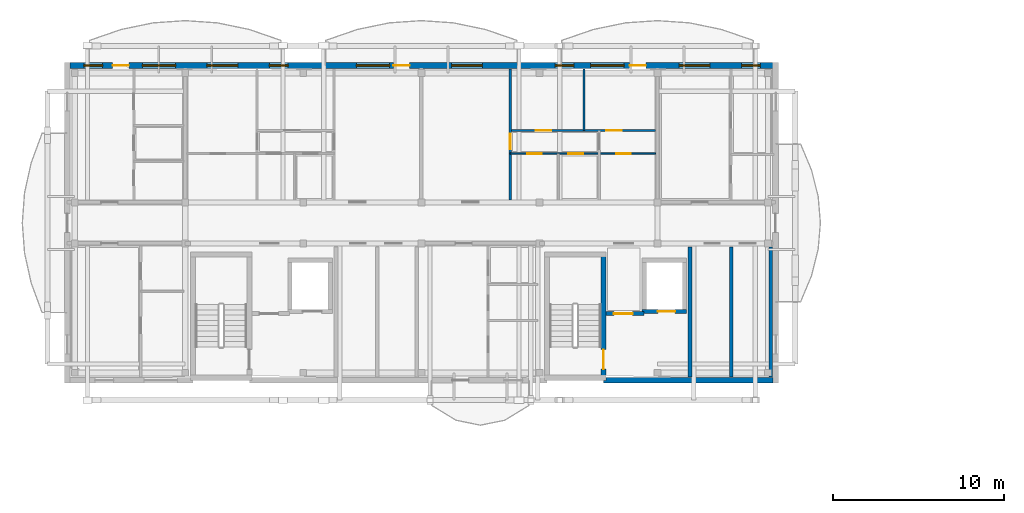
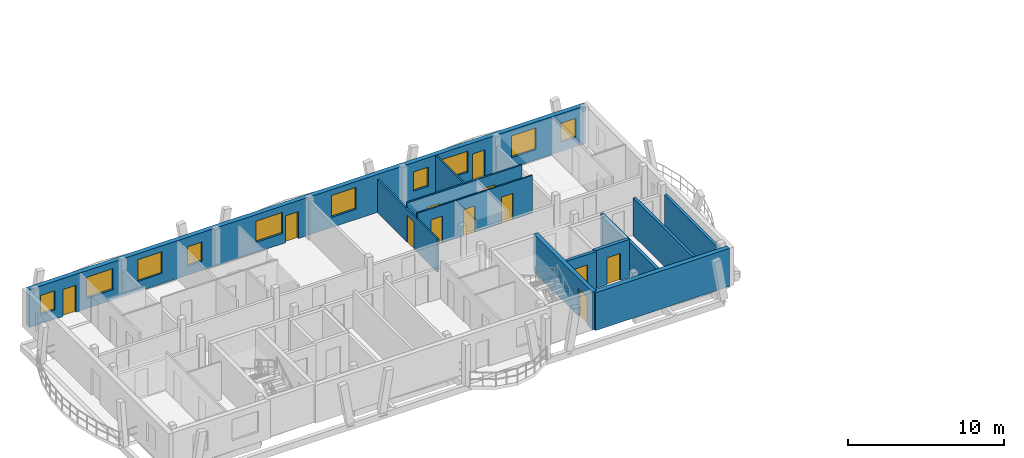
# One storey, part 21 of 41: 12 doors, 12 walls, 10 windows, 22 openings.
"""IFC4 building model written with IfcOpenShell, lengths in metres."""

from ifc_helpers import new_model, si_unit, direction, frame, frame_2d, origin, origin_with_axes, place, context, subcontext, project, spatial, rectangle, extrude, material, layer, layer_set, type_object, element, fill, save


model = new_model("IFC4")

# Units and contexts
model_context = context("Model", 3, precision=1e-05, world=origin(), true_north=direction((0.0, 1.0)))
body_context = subcontext(model_context, "Body", "Model", "MODEL_VIEW")
ifc_project = project(units=[si_unit("LENGTHUNIT", "METRE"), si_unit("AREAUNIT", "SQUARE_METRE"), si_unit("VOLUMEUNIT", "CUBIC_METRE"), si_unit("PLANEANGLEUNIT", "RADIAN"), si_unit("MASSUNIT", "GRAM", prefix="KILO")], contexts=[model_context])

# Site, building, storey
site_placement = place(None, origin())
site = spatial("IfcSite", under=ifc_project, at=site_placement, CompositionType="ELEMENT")
building_placement = place(site_placement, origin())
building = spatial("IfcBuilding", under=site, at=building_placement, Name="Zavelmont Quarter", CompositionType="ELEMENT")
storey_placement = place(building_placement, frame((0.0, 0.0, 27.199951171875)))
storey = spatial("IfcBuildingStorey", under=building, at=storey_placement, Name="L08", CompositionType="ELEMENT", Elevation=27.199951171875)

# Wall
ifc_material_1 = material(Name="Natural Belgian limestone", Category="masonry")
ifc_layer_1 = layer(ifc_material_1, 0.340087890625)
ifc_layer_set_1 = layer_set([ifc_layer_1], Name="Natural Belgian limestone")
wall_type_1 = type_object("IfcWallType", Name="EW03", PredefinedType="STANDARD", material=ifc_layer_set_1)
wall_1_placement = place(storey_placement, frame((31.35009765625, 97.60009765625, 0.0), z_axis=(0.0, 0.0, 1.0), x_axis=(1.0, 0.0, 0.0)))
element("IfcWall", 1, at=wall_1_placement, inside=storey, type_object=wall_type_1, Name="L08 exterior limestone wall EW03", PredefinedType="STANDARD", context=body_context, shape_type="SweptSolid", body=[
    extrude(rectangle(XDim=9.889892578125, YDim=0.340087890625, at=frame_2d((4.94482421875, 0.0))), origin(), (0.0, 0.0, 1.0), 2.9599609375),
])

# Wall, openings, doors, windows
wall_2_placement = place(storey_placement, frame((0.159912109375, 116.0, 0.0), z_axis=(0.0, 0.0, 1.0), x_axis=(1.0, 0.0, 0.0)))
wall_2 = element("IfcWall", 2, at=wall_2_placement, inside=storey, type_object=wall_type_1, Name="L08 exterior limestone wall EW03", PredefinedType="STANDARD", context=body_context, shape_type="SweptSolid", body=[
    extrude(rectangle(XDim=41.080078125, YDim=0.340087890625, at=frame_2d((20.5400390625, 0.0))), origin(), (0.0, 0.0, 1.0), 2.9599609375),
])
opening_1_placement = place(wall_2_placement, frame((2.500244140625, 0.0, 0.0)))
opening_1 = element("IfcOpeningElement", 3, at=opening_1_placement, cuts=wall_2, Name="Opening DR04", PredefinedType="OPENING", context=body_context, shape_type="SweptSolid", body=[
    extrude(rectangle(XDim=0.949951171875, YDim=2.10009765625, at=frame_2d((0.47509765625, 1.050048828125))), frame((0.0, 0.18212890625, 0.0), z_axis=(0.0, -1.0, 0.0), x_axis=(1.0, 0.0, 0.0)), (0.0, 0.0, 1.0), 0.364013671875),
])
opening_2_placement = place(wall_2_placement, frame((18.909912109375, 0.0, 0.0)))
opening_2 = element("IfcOpeningElement", 4, at=opening_2_placement, cuts=wall_2, Name="Opening DR04", PredefinedType="OPENING", context=body_context, shape_type="SweptSolid", body=[
    extrude(rectangle(XDim=0.949951171875, YDim=2.10009765625, at=frame_2d((0.47509765625, 1.050048828125))), frame((0.0, 0.18212890625, 0.0), z_axis=(0.0, -1.0, 0.0), x_axis=(1.0, 0.0, 0.0)), (0.0, 0.0, 1.0), 0.364013671875),
])
opening_3_placement = place(wall_2_placement, frame((32.7099609375, 0.0, 0.0)))
opening_3 = element("IfcOpeningElement", 5, at=opening_3_placement, cuts=wall_2, Name="Opening DR04", PredefinedType="OPENING", context=body_context, shape_type="SweptSolid", body=[
    extrude(rectangle(XDim=0.949951171875, YDim=2.10009765625, at=frame_2d((0.47509765625, 1.050048828125))), frame((0.0, 0.18212890625, 0.0), z_axis=(0.0, -1.0, 0.0), x_axis=(1.0, 0.0, 0.0)), (0.0, 0.0, 1.0), 0.364013671875),
])
opening_4_placement = place(wall_2_placement, frame((0.81005859375, 0.0, 0.719970703125)))
opening_4 = element("IfcOpeningElement", 6, at=opening_4_placement, cuts=wall_2, Name="Opening WN09", PredefinedType="OPENING", context=body_context, shape_type="SweptSolid", body=[
    extrude(rectangle(XDim=1.10009765625, YDim=1.5, at=frame_2d((0.550048828125, 0.75))), frame((0.0, 0.18212890625, 0.0), z_axis=(0.0, -1.0, 0.0), x_axis=(1.0, 0.0, 0.0)), (0.0, 0.0, 1.0), 0.364013671875),
])
opening_5_placement = place(wall_2_placement, frame((4.235107421875, 0.0, 0.800048828125)))
opening_5 = element("IfcOpeningElement", 7, at=opening_5_placement, cuts=wall_2, Name="Opening WN24", PredefinedType="OPENING", context=body_context, shape_type="SweptSolid", body=[
    extrude(rectangle(XDim=1.949951171875, YDim=1.64990234375, at=frame_2d((0.97509765625, 0.824951171875))), frame((0.0, 0.18212890625, 0.0), z_axis=(0.0, -1.0, 0.0), x_axis=(1.0, 0.0, 0.0)), (0.0, 0.0, 1.0), 0.364013671875),
])
opening_6_placement = place(wall_2_placement, frame((8.010009765625, 0.0, 0.800048828125)))
opening_6 = element("IfcOpeningElement", 8, at=opening_6_placement, cuts=wall_2, Name="Opening WN02", PredefinedType="OPENING", context=body_context, shape_type="SweptSolid", body=[
    extrude(rectangle(XDim=1.800048828125, YDim=1.699951171875, at=frame_2d((0.89990234375, 0.85009765625))), frame((0.0, 0.18212890625, 0.0), z_axis=(0.0, -1.0, 0.0), x_axis=(1.0, 0.0, 0.0)), (0.0, 0.0, 1.0), 0.364013671875),
])
opening_7_placement = place(wall_2_placement, frame((11.659912109375, 0.0, 0.719970703125)))
opening_7 = element("IfcOpeningElement", 9, at=opening_7_placement, cuts=wall_2, Name="Opening WN09", PredefinedType="OPENING", context=body_context, shape_type="SweptSolid", body=[
    extrude(rectangle(XDim=1.10009765625, YDim=1.5, at=frame_2d((0.550048828125, 0.75))), frame((0.0, 0.18212890625, 0.0), z_axis=(0.0, -1.0, 0.0), x_axis=(1.0, 0.0, 0.0)), (0.0, 0.0, 1.0), 0.364013671875),
])
opening_8_placement = place(wall_2_placement, frame((16.735107421875, 0.0, 0.800048828125)))
opening_8 = element("IfcOpeningElement", 10, at=opening_8_placement, cuts=wall_2, Name="Opening WN24", PredefinedType="OPENING", context=body_context, shape_type="SweptSolid", body=[
    extrude(rectangle(XDim=1.949951171875, YDim=1.64990234375, at=frame_2d((0.97509765625, 0.824951171875))), frame((0.0, 0.18212890625, 0.0), z_axis=(0.0, -1.0, 0.0), x_axis=(1.0, 0.0, 0.0)), (0.0, 0.0, 1.0), 0.364013671875),
])
opening_9_placement = place(wall_2_placement, frame((22.31005859375, 0.0, 0.800048828125)))
opening_9 = element("IfcOpeningElement", 11, at=opening_9_placement, cuts=wall_2, Name="Opening WN02", PredefinedType="OPENING", context=body_context, shape_type="SweptSolid", body=[
    extrude(rectangle(XDim=1.800048828125, YDim=1.699951171875, at=frame_2d((0.89990234375, 0.85009765625))), frame((0.0, 0.18212890625, 0.0), z_axis=(0.0, -1.0, 0.0), x_axis=(1.0, 0.0, 0.0)), (0.0, 0.0, 1.0), 0.364013671875),
])
opening_10_placement = place(wall_2_placement, frame((28.360107421875, 0.0, 0.719970703125)))
opening_10 = element("IfcOpeningElement", 12, at=opening_10_placement, cuts=wall_2, Name="Opening WN09", PredefinedType="OPENING", context=body_context, shape_type="SweptSolid", body=[
    extrude(rectangle(XDim=1.10009765625, YDim=1.5, at=frame_2d((0.550048828125, 0.75))), frame((0.0, 0.18212890625, 0.0), z_axis=(0.0, -1.0, 0.0), x_axis=(1.0, 0.0, 0.0)), (0.0, 0.0, 1.0), 0.364013671875),
])
opening_11_placement = place(wall_2_placement, frame((30.43505859375, 0.0, 0.800048828125)))
opening_11 = element("IfcOpeningElement", 13, at=opening_11_placement, cuts=wall_2, Name="Opening WN24", PredefinedType="OPENING", context=body_context, shape_type="SweptSolid", body=[
    extrude(rectangle(XDim=1.949951171875, YDim=1.64990234375, at=frame_2d((0.97509765625, 0.824951171875))), frame((0.0, 0.18212890625, 0.0), z_axis=(0.0, -1.0, 0.0), x_axis=(1.0, 0.0, 0.0)), (0.0, 0.0, 1.0), 0.364013671875),
])
opening_12_placement = place(wall_2_placement, frame((35.610107421875, 0.0, 0.800048828125)))
opening_12 = element("IfcOpeningElement", 14, at=opening_12_placement, cuts=wall_2, Name="Opening WN02", PredefinedType="OPENING", context=body_context, shape_type="SweptSolid", body=[
    extrude(rectangle(XDim=1.800048828125, YDim=1.699951171875, at=frame_2d((0.89990234375, 0.85009765625))), frame((0.0, 0.18212890625, 0.0), z_axis=(0.0, -1.0, 0.0), x_axis=(1.0, 0.0, 0.0)), (0.0, 0.0, 1.0), 0.364013671875),
])
opening_13_placement = place(wall_2_placement, frame((39.260009765625, 0.0, 0.719970703125)))
opening_13 = element("IfcOpeningElement", 15, at=opening_13_placement, cuts=wall_2, Name="Opening WN09", PredefinedType="OPENING", context=body_context, shape_type="SweptSolid", body=[
    extrude(rectangle(XDim=1.10009765625, YDim=1.5, at=frame_2d((0.550048828125, 0.75))), frame((0.0, 0.18212890625, 0.0), z_axis=(0.0, -1.0, 0.0), x_axis=(1.0, 0.0, 0.0)), (0.0, 0.0, 1.0), 0.364013671875),
])
ifc_material_2 = material(Name="Thermally broken aluminium and double safety glass", Category="aluminium")
door_type_1 = type_object("IfcDoorType", Name="DR04", OperationType="NOTDEFINED", PredefinedType="DOOR", material=ifc_material_2)
door_1_placement = place(opening_1_placement, frame((0.949951171875, 0.0, 0.0), z_axis=(0.0, 0.0, 1.0), x_axis=(-1.0, 0.0, 0.0)))
door_1 = element("IfcDoor", 16, at=door_1_placement, inside=storey, type_object=door_type_1, Name="Block B L08 glazed balcony door", OperationType="SINGLE_SWING_LEFT", OverallHeight=2.10009765625, OverallWidth=0.949951171875, PredefinedType="DOOR", context=body_context, shape_type="SweptSolid", body=[
    extrude(rectangle(XDim=0.949951171875, YDim=2.10009765625, at=frame_2d((0.47509765625, 1.050048828125))), frame((0.0, 0.02490234375, 0.0), z_axis=(0.0, -1.0, 0.0), x_axis=(1.0, 0.0, 0.0)), (0.0, 0.0, 1.0), 0.050048828125),
])
fill(opening_1, door_1)
door_2_placement = place(opening_2_placement, frame((0.949951171875, 0.0, 0.0), z_axis=(0.0, 0.0, 1.0), x_axis=(-1.0, 0.0, 0.0)))
door_2 = element("IfcDoor", 17, at=door_2_placement, inside=storey, type_object=door_type_1, Name="Block B L08 glazed balcony door", OperationType="SINGLE_SWING_LEFT", OverallHeight=2.10009765625, OverallWidth=0.949951171875, PredefinedType="DOOR", context=body_context, shape_type="SweptSolid", body=[
    extrude(rectangle(XDim=0.949951171875, YDim=2.10009765625, at=frame_2d((0.47509765625, 1.050048828125))), frame((0.0, 0.02490234375, 0.0), z_axis=(0.0, -1.0, 0.0), x_axis=(1.0, 0.0, 0.0)), (0.0, 0.0, 1.0), 0.050048828125),
])
fill(opening_2, door_2)
door_3_placement = place(opening_3_placement, frame((0.949951171875, 0.0, 0.0), z_axis=(0.0, 0.0, 1.0), x_axis=(-1.0, 0.0, 0.0)))
door_3 = element("IfcDoor", 18, at=door_3_placement, inside=storey, type_object=door_type_1, Name="Block B L08 glazed balcony door", OperationType="SINGLE_SWING_LEFT", OverallHeight=2.10009765625, OverallWidth=0.949951171875, PredefinedType="DOOR", context=body_context, shape_type="SweptSolid", body=[
    extrude(rectangle(XDim=0.949951171875, YDim=2.10009765625, at=frame_2d((0.47509765625, 1.050048828125))), frame((0.0, 0.02490234375, 0.0), z_axis=(0.0, -1.0, 0.0), x_axis=(1.0, 0.0, 0.0)), (0.0, 0.0, 1.0), 0.050048828125),
])
fill(opening_3, door_3)
ifc_material_3 = material(Name="Double low-E insulated glazing in thermally broken aluminium frame", Category="aluminium")
window_type_1 = type_object("IfcWindowType", Name="WN02", PartitioningType="SINGLE_PANEL", PredefinedType="WINDOW", material=ifc_material_3)
window_1_placement = place(opening_6_placement, origin_with_axes())
window_1 = element("IfcWindow", 19, at=window_1_placement, inside=storey, type_object=window_type_1, Name="L08 window WN02", OverallHeight=1.699951171875, OverallWidth=1.800048828125, PartitioningType="SINGLE_PANEL", PredefinedType="WINDOW", context=body_context, shape_type="SweptSolid", body=[
    extrude(rectangle(XDim=1.800048828125, YDim=1.699951171875, at=frame_2d((0.89990234375, 0.85009765625))), frame((0.0, 0.030029296875, 0.0), z_axis=(0.0, -1.0, 0.0), x_axis=(1.0, 0.0, 0.0)), (0.0, 0.0, 1.0), 0.06005859375),
])
fill(opening_6, window_1)
window_2_placement = place(opening_9_placement, origin_with_axes())
window_2 = element("IfcWindow", 20, at=window_2_placement, inside=storey, type_object=window_type_1, Name="L08 window WN02", OverallHeight=1.699951171875, OverallWidth=1.800048828125, PartitioningType="SINGLE_PANEL", PredefinedType="WINDOW", context=body_context, shape_type="SweptSolid", body=[
    extrude(rectangle(XDim=1.800048828125, YDim=1.699951171875, at=frame_2d((0.89990234375, 0.85009765625))), frame((0.0, 0.030029296875, 0.0), z_axis=(0.0, -1.0, 0.0), x_axis=(1.0, 0.0, 0.0)), (0.0, 0.0, 1.0), 0.06005859375),
])
fill(opening_9, window_2)
window_3_placement = place(opening_12_placement, origin_with_axes())
window_3 = element("IfcWindow", 21, at=window_3_placement, inside=storey, type_object=window_type_1, Name="L08 window WN02", OverallHeight=1.699951171875, OverallWidth=1.800048828125, PartitioningType="SINGLE_PANEL", PredefinedType="WINDOW", context=body_context, shape_type="SweptSolid", body=[
    extrude(rectangle(XDim=1.800048828125, YDim=1.699951171875, at=frame_2d((0.89990234375, 0.85009765625))), frame((0.0, 0.030029296875, 0.0), z_axis=(0.0, -1.0, 0.0), x_axis=(1.0, 0.0, 0.0)), (0.0, 0.0, 1.0), 0.06005859375),
])
fill(opening_12, window_3)
window_type_2 = type_object("IfcWindowType", Name="WN09", PartitioningType="SINGLE_PANEL", PredefinedType="WINDOW", material=ifc_material_3)
window_4_placement = place(opening_4_placement, origin_with_axes())
window_4 = element("IfcWindow", 22, at=window_4_placement, inside=storey, type_object=window_type_2, Name="L08 window WN09", OverallHeight=1.5, OverallWidth=1.10009765625, PartitioningType="SINGLE_PANEL", PredefinedType="WINDOW", context=body_context, shape_type="SweptSolid", body=[
    extrude(rectangle(XDim=1.10009765625, YDim=1.5, at=frame_2d((0.550048828125, 0.75))), frame((0.0, 0.030029296875, 0.0), z_axis=(0.0, -1.0, 0.0), x_axis=(1.0, 0.0, 0.0)), (0.0, 0.0, 1.0), 0.06005859375),
])
fill(opening_4, window_4)
window_5_placement = place(opening_7_placement, origin_with_axes())
window_5 = element("IfcWindow", 23, at=window_5_placement, inside=storey, type_object=window_type_2, Name="L08 window WN09", OverallHeight=1.5, OverallWidth=1.10009765625, PartitioningType="SINGLE_PANEL", PredefinedType="WINDOW", context=body_context, shape_type="SweptSolid", body=[
    extrude(rectangle(XDim=1.10009765625, YDim=1.5, at=frame_2d((0.550048828125, 0.75))), frame((0.0, 0.030029296875, 0.0), z_axis=(0.0, -1.0, 0.0), x_axis=(1.0, 0.0, 0.0)), (0.0, 0.0, 1.0), 0.06005859375),
])
fill(opening_7, window_5)
window_6_placement = place(opening_10_placement, origin_with_axes())
window_6 = element("IfcWindow", 24, at=window_6_placement, inside=storey, type_object=window_type_2, Name="L08 window WN09", OverallHeight=1.5, OverallWidth=1.10009765625, PartitioningType="SINGLE_PANEL", PredefinedType="WINDOW", context=body_context, shape_type="SweptSolid", body=[
    extrude(rectangle(XDim=1.10009765625, YDim=1.5, at=frame_2d((0.550048828125, 0.75))), frame((0.0, 0.030029296875, 0.0), z_axis=(0.0, -1.0, 0.0), x_axis=(1.0, 0.0, 0.0)), (0.0, 0.0, 1.0), 0.06005859375),
])
fill(opening_10, window_6)
window_7_placement = place(opening_13_placement, origin_with_axes())
window_7 = element("IfcWindow", 25, at=window_7_placement, inside=storey, type_object=window_type_2, Name="L08 window WN09", OverallHeight=1.5, OverallWidth=1.10009765625, PartitioningType="SINGLE_PANEL", PredefinedType="WINDOW", context=body_context, shape_type="SweptSolid", body=[
    extrude(rectangle(XDim=1.10009765625, YDim=1.5, at=frame_2d((0.550048828125, 0.75))), frame((0.0, 0.030029296875, 0.0), z_axis=(0.0, -1.0, 0.0), x_axis=(1.0, 0.0, 0.0)), (0.0, 0.0, 1.0), 0.06005859375),
])
fill(opening_13, window_7)
window_type_3 = type_object("IfcWindowType", Name="WN24", PartitioningType="SINGLE_PANEL", PredefinedType="WINDOW", material=ifc_material_3)
window_8_placement = place(opening_5_placement, origin_with_axes())
window_8 = element("IfcWindow", 26, at=window_8_placement, inside=storey, type_object=window_type_3, Name="L08 window WN24", OverallHeight=1.64990234375, OverallWidth=1.949951171875, PartitioningType="SINGLE_PANEL", PredefinedType="WINDOW", context=body_context, shape_type="SweptSolid", body=[
    extrude(rectangle(XDim=1.949951171875, YDim=1.64990234375, at=frame_2d((0.97509765625, 0.824951171875))), frame((0.0, 0.030029296875, 0.0), z_axis=(0.0, -1.0, 0.0), x_axis=(1.0, 0.0, 0.0)), (0.0, 0.0, 1.0), 0.06005859375),
])
fill(opening_5, window_8)
window_9_placement = place(opening_8_placement, origin_with_axes())
window_9 = element("IfcWindow", 27, at=window_9_placement, inside=storey, type_object=window_type_3, Name="L08 window WN24", OverallHeight=1.64990234375, OverallWidth=1.949951171875, PartitioningType="SINGLE_PANEL", PredefinedType="WINDOW", context=body_context, shape_type="SweptSolid", body=[
    extrude(rectangle(XDim=1.949951171875, YDim=1.64990234375, at=frame_2d((0.97509765625, 0.824951171875))), frame((0.0, 0.030029296875, 0.0), z_axis=(0.0, -1.0, 0.0), x_axis=(1.0, 0.0, 0.0)), (0.0, 0.0, 1.0), 0.06005859375),
])
fill(opening_8, window_9)
window_10_placement = place(opening_11_placement, origin_with_axes())
window_10 = element("IfcWindow", 28, at=window_10_placement, inside=storey, type_object=window_type_3, Name="L08 window WN24", OverallHeight=1.64990234375, OverallWidth=1.949951171875, PartitioningType="SINGLE_PANEL", PredefinedType="WINDOW", context=body_context, shape_type="SweptSolid", body=[
    extrude(rectangle(XDim=1.949951171875, YDim=1.64990234375, at=frame_2d((0.97509765625, 0.824951171875))), frame((0.0, 0.030029296875, 0.0), z_axis=(0.0, -1.0, 0.0), x_axis=(1.0, 0.0, 0.0)), (0.0, 0.0, 1.0), 0.06005859375),
])
fill(opening_11, window_10)

# Walls
ifc_material_4 = material(Name="Calcium-silicate blockwork and acoustic plaster", Category="masonry")
ifc_layer_2 = layer(ifc_material_4, 0.199951171875)
ifc_layer_set_2 = layer_set([ifc_layer_2], Name="Calcium-silicate blockwork and acoustic plaster")
wall_type_2 = type_object("IfcWallType", Name="IW01", PredefinedType="PARTITIONING", material=ifc_layer_set_2)
wall_3_placement = place(storey_placement, frame((38.824951171875, 97.800048828125, 0.0), z_axis=(0.0, 0.0, 1.0), x_axis=(0.0, 1.0, 0.0)))
element("IfcWall", 29, at=wall_3_placement, inside=storey, type_object=wall_type_2, Name="L08 Service riser divider wall IW01", PredefinedType="PARTITIONING", context=body_context, shape_type="SweptSolid", body=[
    extrude(rectangle(XDim=7.599853515625, YDim=0.199951171875, at=frame_2d((3.7998046875, 0.0))), origin(), (0.0, 0.0, 1.0), 2.9599609375),
])
wall_4_placement = place(storey_placement, frame((41.1201171875, 97.800048828125, 0.0), z_axis=(0.0, 0.0, 1.0), x_axis=(0.0, 1.0, 0.0)))
element("IfcWall", 30, at=wall_4_placement, inside=storey, type_object=wall_type_2, Name="L08 Core service end wall IW01", PredefinedType="PARTITIONING", context=body_context, shape_type="SweptSolid", body=[
    extrude(rectangle(XDim=7.599853515625, YDim=0.199951171875, at=frame_2d((3.7998046875, 0.0))), origin(), (0.0, 0.0, 1.0), 2.400146484375),
])
ifc_material_5 = material(Name="Reinforced masonry fire compartment wall", Category="masonry")
ifc_layer_3 = layer(ifc_material_5, 0.22509765625)
ifc_layer_set_3 = layer_set([ifc_layer_3], Name="Reinforced masonry fire compartment wall")
wall_type_3 = type_object("IfcWallType", Name="IW02", PredefinedType="PARTITIONING", material=ifc_layer_set_3)
wall_5_placement = place(storey_placement, frame((36.409912109375, 97.800048828125, 0.0), z_axis=(0.0, 0.0, 1.0), x_axis=(0.0, 1.0, 0.0)))
element("IfcWall", 31, at=wall_5_placement, inside=storey, type_object=wall_type_3, Name="L08 Firefighting lobby enclosure wall IW02", PredefinedType="PARTITIONING", context=body_context, shape_type="SweptSolid", body=[
    extrude(rectangle(XDim=7.599853515625, YDim=0.22509765625, at=frame_2d((3.7998046875, 0.0))), origin(), (0.0, 0.0, 1.0), 2.590087890625),
])

# Wall, opening, door
wall_6_placement = place(storey_placement, frame((31.5, 101.5, 0.0), z_axis=(0.0, 0.0, 1.0), x_axis=(1.0, 0.0, 0.0)))
wall_6 = element("IfcWall", 32, at=wall_6_placement, inside=storey, type_object=wall_type_3, Name="L08 Firefighting lobby threshold wall IW02", PredefinedType="PARTITIONING", context=body_context, shape_type="SweptSolid", body=[
    extrude(rectangle(XDim=2.199951171875, YDim=0.22509765625, at=frame_2d((1.10009765625, 0.0))), origin(), (0.0, 0.0, 1.0), 2.9599609375),
])
opening_14_placement = place(wall_6_placement, frame((0.449951171875, 0.0, 0.0)))
opening_14 = element("IfcOpeningElement", 33, at=opening_14_placement, cuts=wall_6, Name="Opening DR10", PredefinedType="OPENING", context=body_context, shape_type="SweptSolid", body=[
    extrude(rectangle(XDim=1.10009765625, YDim=2.14990234375, at=frame_2d((0.550048828125, 1.074951171875))), frame((0.0, 0.12451171875, 0.0), z_axis=(0.0, -1.0, 0.0), x_axis=(1.0, 0.0, 0.0)), (0.0, 0.0, 1.0), 0.2490234375),
])
ifc_material_6 = material(Name="Painted steel lobby fire door", Category="steel")
door_type_2 = type_object("IfcDoorType", Name="DR10", OperationType="NOTDEFINED", PredefinedType="DOOR", material=ifc_material_6)
door_4_placement = place(opening_14_placement, frame((1.10009765625, 0.0, 0.0), z_axis=(0.0, 0.0, 1.0), x_axis=(-1.0, 0.0, 0.0)))
door_4 = element("IfcDoor", 34, at=door_4_placement, inside=storey, type_object=door_type_2, Name="Firefighting lobby fire door", OperationType="SINGLE_SWING_LEFT", OverallHeight=2.14990234375, OverallWidth=1.10009765625, PredefinedType="DOOR", context=body_context, shape_type="SweptSolid", body=[
    extrude(rectangle(XDim=1.10009765625, YDim=2.14990234375, at=frame_2d((0.550048828125, 1.074951171875))), frame((0.0, 0.02490234375, 0.0), z_axis=(0.0, -1.0, 0.0), x_axis=(1.0, 0.0, 0.0)), (0.0, 0.0, 1.0), 0.050048828125),
])
fill(opening_14, door_4)

ifc_material_7 = material(Name="Double gypsum board on acoustic steel stud", Category="steel")
ifc_layer_4 = layer(ifc_material_7, 0.125)
ifc_layer_set_4 = layer_set([ifc_layer_4], Name="Double gypsum board on acoustic steel stud")
wall_type_4 = type_object("IfcWallType", Name="IW03", PredefinedType="PARTITIONING", material=ifc_layer_set_4)
wall_7_placement = place(storey_placement, frame((25.89990234375, 108.14990234375, 0.0), z_axis=(0.0, 0.0, 1.0), x_axis=(0.0, 1.0, 0.0)))
wall_7 = element("IfcWall", 35, at=wall_7_placement, inside=storey, type_object=wall_type_4, Name="L08 Partition IW03", PredefinedType="PARTITIONING", context=body_context, shape_type="SweptSolid", body=[
    extrude(rectangle(XDim=7.650146484375, YDim=0.125, at=frame_2d((3.8251953125, 0.0))), origin(), (0.0, 0.0, 1.0), 2.590087890625),
])
opening_15_placement = place(wall_7_placement, frame((2.949951171875, 0.0, 0.0)))
opening_15 = element("IfcOpeningElement", 36, at=opening_15_placement, cuts=wall_7, Name="Opening DR05", PredefinedType="OPENING", context=body_context, shape_type="SweptSolid", body=[
    extrude(rectangle(XDim=0.89990234375, YDim=2.10009765625, at=frame_2d((0.449951171875, 1.050048828125))), frame((0.0, 0.074462890625, 0.0), z_axis=(0.0, -1.0, 0.0), x_axis=(1.0, 0.0, 0.0)), (0.0, 0.0, 1.0), 0.14892578125),
])
ifc_material_8 = material(Name="Engineered oak flush interior door")
door_type_3 = type_object("IfcDoorType", Name="DR05", OperationType="NOTDEFINED", PredefinedType="DOOR", material=ifc_material_8)
door_5_placement = place(opening_15_placement, origin_with_axes())
door_5 = element("IfcDoor", 37, at=door_5_placement, inside=storey, type_object=door_type_3, Name="L08 door DR05", OperationType="SINGLE_SWING_RIGHT", OverallHeight=2.10009765625, OverallWidth=0.89990234375, PredefinedType="DOOR", context=body_context, shape_type="SweptSolid", body=[
    extrude(rectangle(XDim=0.89990234375, YDim=2.10009765625, at=frame_2d((0.449951171875, 1.050048828125))), frame((0.0, 0.02490234375, 0.0), z_axis=(0.0, -1.0, 0.0), x_axis=(1.0, 0.0, 0.0)), (0.0, 0.0, 1.0), 0.050048828125),
])
fill(opening_15, door_5)

# Wall
wall_8_placement = place(storey_placement, frame((30.199951171875, 112.199951171875, 0.0), z_axis=(0.0, 0.0, 1.0), x_axis=(0.0, 1.0, 0.0)))
element("IfcWall", 38, at=wall_8_placement, inside=storey, type_object=wall_type_4, Name="L08 Partition IW03", PredefinedType="PARTITIONING", context=body_context, shape_type="SweptSolid", body=[
    extrude(rectangle(XDim=3.60009765625, YDim=0.125, at=frame_2d((1.800048828125, 0.0))), origin(), (0.0, 0.0, 1.0), 2.9599609375),
])

# Wall, openings, doors
wall_9_placement = place(storey_placement, frame((25.89990234375, 112.199951171875, 0.0), z_axis=(0.0, 0.0, 1.0), x_axis=(1.0, 0.0, 0.0)))
wall_9 = element("IfcWall", 39, at=wall_9_placement, inside=storey, type_object=wall_type_4, Name="L08 Partition IW03", PredefinedType="PARTITIONING", context=body_context, shape_type="SweptSolid", body=[
    extrude(rectangle(XDim=8.5, YDim=0.125, at=frame_2d((4.25, 0.0))), origin(), (0.0, 0.0, 1.0), 2.9599609375),
])
opening_16_placement = place(wall_9_placement, frame((1.5, 0.0, 0.0)))
opening_16 = element("IfcOpeningElement", 40, at=opening_16_placement, cuts=wall_9, Name="Opening DR05", PredefinedType="OPENING", context=body_context, shape_type="SweptSolid", body=[
    extrude(rectangle(XDim=0.89990234375, YDim=2.10009765625, at=frame_2d((0.449951171875, 1.050048828125))), frame((0.0, 0.074462890625, 0.0), z_axis=(0.0, -1.0, 0.0), x_axis=(1.0, 0.0, 0.0)), (0.0, 0.0, 1.0), 0.14892578125),
])
opening_17_placement = place(wall_9_placement, frame((5.60009765625, 0.0, 0.0)))
opening_17 = element("IfcOpeningElement", 41, at=opening_17_placement, cuts=wall_9, Name="Opening DR05", PredefinedType="OPENING", context=body_context, shape_type="SweptSolid", body=[
    extrude(rectangle(XDim=0.89990234375, YDim=2.10009765625, at=frame_2d((0.449951171875, 1.050048828125))), frame((0.0, 0.074462890625, 0.0), z_axis=(0.0, -1.0, 0.0), x_axis=(1.0, 0.0, 0.0)), (0.0, 0.0, 1.0), 0.14892578125),
])
door_6_placement = place(opening_16_placement, frame((0.89990234375, 0.0, 0.0), z_axis=(0.0, 0.0, 1.0), x_axis=(-1.0, 0.0, 0.0)))
door_6 = element("IfcDoor", 42, at=door_6_placement, inside=storey, type_object=door_type_3, Name="L08 door DR05", OperationType="SINGLE_SWING_LEFT", OverallHeight=2.10009765625, OverallWidth=0.89990234375, PredefinedType="DOOR", context=body_context, shape_type="SweptSolid", body=[
    extrude(rectangle(XDim=0.89990234375, YDim=2.10009765625, at=frame_2d((0.449951171875, 1.050048828125))), frame((0.0, 0.02490234375, 0.0), z_axis=(0.0, -1.0, 0.0), x_axis=(1.0, 0.0, 0.0)), (0.0, 0.0, 1.0), 0.050048828125),
])
fill(opening_16, door_6)
door_7_placement = place(opening_17_placement, origin_with_axes())
door_7 = element("IfcDoor", 43, at=door_7_placement, inside=storey, type_object=door_type_3, Name="L08 door DR05", OperationType="SINGLE_SWING_RIGHT", OverallHeight=2.10009765625, OverallWidth=0.89990234375, PredefinedType="DOOR", context=body_context, shape_type="SweptSolid", body=[
    extrude(rectangle(XDim=0.89990234375, YDim=2.10009765625, at=frame_2d((0.449951171875, 1.050048828125))), frame((0.0, 0.02490234375, 0.0), z_axis=(0.0, -1.0, 0.0), x_axis=(1.0, 0.0, 0.0)), (0.0, 0.0, 1.0), 0.050048828125),
])
fill(opening_17, door_7)

ifc_material_9 = material(Name="Moisture-resistant gypsum board on steel stud", Category="steel")
ifc_layer_5 = layer(ifc_material_9, 0.10009765625)
ifc_layer_set_5 = layer_set([ifc_layer_5], Name="Moisture-resistant gypsum board on steel stud")
wall_type_5 = type_object("IfcWallType", Name="IW04", PredefinedType="PARTITIONING", material=ifc_layer_set_5)
wall_10_placement = place(storey_placement, frame((25.89990234375, 110.85009765625, 0.0), z_axis=(0.0, 0.0, 1.0), x_axis=(1.0, 0.0, 0.0)))
wall_10 = element("IfcWall", 44, at=wall_10_placement, inside=storey, type_object=wall_type_5, Name="L08 Partition IW04", PredefinedType="PARTITIONING", context=body_context, shape_type="SweptSolid", body=[
    extrude(rectangle(XDim=8.5, YDim=0.10009765625, at=frame_2d((4.25, 0.0))), origin(), (0.0, 0.0, 1.0), 2.9599609375),
])
opening_18_placement = place(wall_10_placement, frame((1.0, 0.0, 0.0)))
opening_18 = element("IfcOpeningElement", 45, at=opening_18_placement, cuts=wall_10, Name="Opening DR16", PredefinedType="OPENING", context=body_context, shape_type="SweptSolid", body=[
    extrude(rectangle(XDim=0.85009765625, YDim=2.10009765625, at=frame_2d((0.425048828125, 1.050048828125))), frame((0.0, 0.06201171875, 0.0), z_axis=(0.0, -1.0, 0.0), x_axis=(1.0, 0.0, 0.0)), (0.0, 0.0, 1.0), 0.1240234375),
])
opening_19_placement = place(wall_10_placement, frame((3.39990234375, 0.0, 0.0)))
opening_19 = element("IfcOpeningElement", 46, at=opening_19_placement, cuts=wall_10, Name="Opening DR06", PredefinedType="OPENING", context=body_context, shape_type="SweptSolid", body=[
    extrude(rectangle(XDim=0.85009765625, YDim=2.050048828125, at=frame_2d((0.425048828125, 1.02490234375))), frame((0.0, 0.06201171875, 0.0), z_axis=(0.0, -1.0, 0.0), x_axis=(1.0, 0.0, 0.0)), (0.0, 0.0, 1.0), 0.1240234375),
])
opening_20_placement = place(wall_10_placement, frame((6.199951171875, 0.0, 0.0)))
opening_20 = element("IfcOpeningElement", 47, at=opening_20_placement, cuts=wall_10, Name="Opening DR06", PredefinedType="OPENING", context=body_context, shape_type="SweptSolid", body=[
    extrude(rectangle(XDim=0.85009765625, YDim=2.050048828125, at=frame_2d((0.425048828125, 1.02490234375))), frame((0.0, 0.06201171875, 0.0), z_axis=(0.0, -1.0, 0.0), x_axis=(1.0, 0.0, 0.0)), (0.0, 0.0, 1.0), 0.1240234375),
])
ifc_material_10 = material(Name="Moisture-resistant painted wet-room door")
door_type_4 = type_object("IfcDoorType", Name="DR06", OperationType="NOTDEFINED", PredefinedType="DOOR", material=ifc_material_10)
door_8_placement = place(opening_19_placement, frame((0.85009765625, 0.0, 0.0), z_axis=(0.0, 0.0, 1.0), x_axis=(-1.0, 0.0, 0.0)))
door_8 = element("IfcDoor", 48, at=door_8_placement, inside=storey, type_object=door_type_4, Name="L08 door DR06", OperationType="SINGLE_SWING_LEFT", OverallHeight=2.050048828125, OverallWidth=0.85009765625, PredefinedType="DOOR", context=body_context, shape_type="SweptSolid", body=[
    extrude(rectangle(XDim=0.85009765625, YDim=2.050048828125, at=frame_2d((0.425048828125, 1.02490234375))), frame((0.0, 0.02490234375, 0.0), z_axis=(0.0, -1.0, 0.0), x_axis=(1.0, 0.0, 0.0)), (0.0, 0.0, 1.0), 0.050048828125),
])
fill(opening_19, door_8)
door_9_placement = place(opening_20_placement, origin_with_axes())
door_9 = element("IfcDoor", 49, at=door_9_placement, inside=storey, type_object=door_type_4, Name="L08 door DR06", OperationType="SINGLE_SWING_RIGHT", OverallHeight=2.050048828125, OverallWidth=0.85009765625, PredefinedType="DOOR", context=body_context, shape_type="SweptSolid", body=[
    extrude(rectangle(XDim=0.85009765625, YDim=2.050048828125, at=frame_2d((0.425048828125, 1.02490234375))), frame((0.0, 0.02490234375, 0.0), z_axis=(0.0, -1.0, 0.0), x_axis=(1.0, 0.0, 0.0)), (0.0, 0.0, 1.0), 0.050048828125),
])
fill(opening_20, door_9)
door_type_5 = type_object("IfcDoorType", Name="DR16", OperationType="NOTDEFINED", PredefinedType="DOOR", material=ifc_material_8)
door_10_placement = place(opening_18_placement, origin_with_axes())
door_10 = element("IfcDoor", 50, at=door_10_placement, inside=storey, type_object=door_type_5, Name="L08 door DR16", OperationType="SINGLE_SWING_RIGHT", OverallHeight=2.10009765625, OverallWidth=0.85009765625, PredefinedType="DOOR", context=body_context, shape_type="SweptSolid", body=[
    extrude(rectangle(XDim=0.85009765625, YDim=2.10009765625, at=frame_2d((0.425048828125, 1.050048828125))), frame((0.0, 0.02490234375, 0.0), z_axis=(0.0, -1.0, 0.0), x_axis=(1.0, 0.0, 0.0)), (0.0, 0.0, 1.0), 0.050048828125),
])
fill(opening_18, door_10)

# Wall, opening, door
ifc_material_11 = material(Name="Concrete C40/50", Category="concrete")
ifc_layer_6 = layer(ifc_material_11, 0.300048828125)
ifc_layer_set_6 = layer_set([ifc_layer_6], Name="Concrete C40/50")
wall_type_6 = type_object("IfcWallType", Name="SW01", PredefinedType="SHEAR", material=ifc_layer_set_6)
wall_11_placement = place(storey_placement, frame((31.35009765625, 97.60009765625, 0.0), z_axis=(0.0, 0.0, 1.0), x_axis=(0.0, 1.0, 0.0)))
wall_11 = element("IfcWall", 51, at=wall_11_placement, inside=storey, type_object=wall_type_6, Name="L08 ST04 lobby shear wall SW01", PredefinedType="SHEAR", context=body_context, shape_type="SweptSolid", body=[
    extrude(rectangle(XDim=7.5, YDim=0.300048828125, at=frame_2d((3.75, 0.0))), origin(), (0.0, 0.0, 1.0), 2.9599609375),
])
opening_21_placement = place(wall_11_placement, frame((0.64990234375, 0.0, 0.0)))
opening_21 = element("IfcOpeningElement", 52, at=opening_21_placement, cuts=wall_11, Name="Opening DR09", PredefinedType="OPENING", context=body_context, shape_type="SweptSolid", body=[
    extrude(rectangle(XDim=1.14990234375, YDim=2.14990234375, at=frame_2d((0.574951171875, 1.074951171875))), frame((0.0, 0.162109375, 0.0), z_axis=(0.0, -1.0, 0.0), x_axis=(1.0, 0.0, 0.0)), (0.0, 0.0, 1.0), 0.323974609375),
])
ifc_material_12 = material(Name="Painted steel stair-core fire door", Category="steel")
door_type_6 = type_object("IfcDoorType", Name="DR09", OperationType="NOTDEFINED", PredefinedType="DOOR", material=ifc_material_12)
door_11_placement = place(opening_21_placement, origin_with_axes())
door_11 = element("IfcDoor", 53, at=door_11_placement, inside=storey, type_object=door_type_6, Name="ST04 protected stair door", OperationType="SINGLE_SWING_RIGHT", OverallHeight=2.14990234375, OverallWidth=1.14990234375, PredefinedType="DOOR", context=body_context, shape_type="SweptSolid", body=[
    extrude(rectangle(XDim=1.14990234375, YDim=2.14990234375, at=frame_2d((0.574951171875, 1.074951171875))), frame((0.0, 0.02490234375, 0.0), z_axis=(0.0, -1.0, 0.0), x_axis=(1.0, 0.0, 0.0)), (0.0, 0.0, 1.0), 0.050048828125),
])
fill(opening_21, door_11)

ifc_layer_7 = layer(ifc_material_11, 0.25)
ifc_layer_set_7 = layer_set([ifc_layer_7], Name="Concrete C40/50")
wall_type_7 = type_object("IfcWallType", Name="SW02", PredefinedType="SHEAR", material=ifc_layer_set_7)
wall_12_placement = place(storey_placement, frame((33.60009765625, 101.625, 0.0), z_axis=(0.0, 0.0, 1.0), x_axis=(1.0, 0.0, 0.0)))
wall_12 = element("IfcWall", 54, at=wall_12_placement, inside=storey, type_object=wall_type_7, Name="L08 Lift LF04 landing shaft wall SW02", PredefinedType="SHEAR", context=body_context, shape_type="SweptSolid", body=[
    extrude(rectangle(XDim=2.599853515625, YDim=0.25, at=frame_2d((1.2998046875, 0.0))), origin(), (0.0, 0.0, 1.0), 2.9599609375),
])
opening_22_placement = place(wall_12_placement, frame((0.925048828125, 0.0, 0.0)))
opening_22 = element("IfcOpeningElement", 55, at=opening_22_placement, cuts=wall_12, Name="Opening LD01", PredefinedType="OPENING", context=body_context, shape_type="SweptSolid", body=[
    extrude(rectangle(XDim=1.0, YDim=2.10009765625, at=frame_2d((0.5, 1.050048828125))), frame((0.0, 0.136962890625, 0.0), z_axis=(0.0, -1.0, 0.0), x_axis=(1.0, 0.0, 0.0)), (0.0, 0.0, 1.0), 0.27392578125),
])
ifc_material_13 = material(Name="Brushed stainless-steel automatic sliding landing door", Category="steel")
door_type_7 = type_object("IfcDoorType", Name="LD01", OperationType="SLIDING_TO_LEFT", PredefinedType="DOOR", material=ifc_material_13)
door_12_placement = place(opening_22_placement, origin_with_axes())
door_12 = element("IfcDoor", 56, at=door_12_placement, inside=storey, type_object=door_type_7, Name="Lift LF04 sliding landing door", OperationType="SLIDING_TO_LEFT", OverallHeight=2.10009765625, OverallWidth=1.0, PredefinedType="DOOR", context=body_context, shape_type="SweptSolid", body=[
    extrude(rectangle(XDim=1.0, YDim=2.10009765625, at=frame_2d((0.5, 1.050048828125))), frame((0.0, 0.02490234375, 0.0), z_axis=(0.0, -1.0, 0.0), x_axis=(1.0, 0.0, 0.0)), (0.0, 0.0, 1.0), 0.050048828125),
])
fill(opening_22, door_12)

save(model, "model.ifc")
